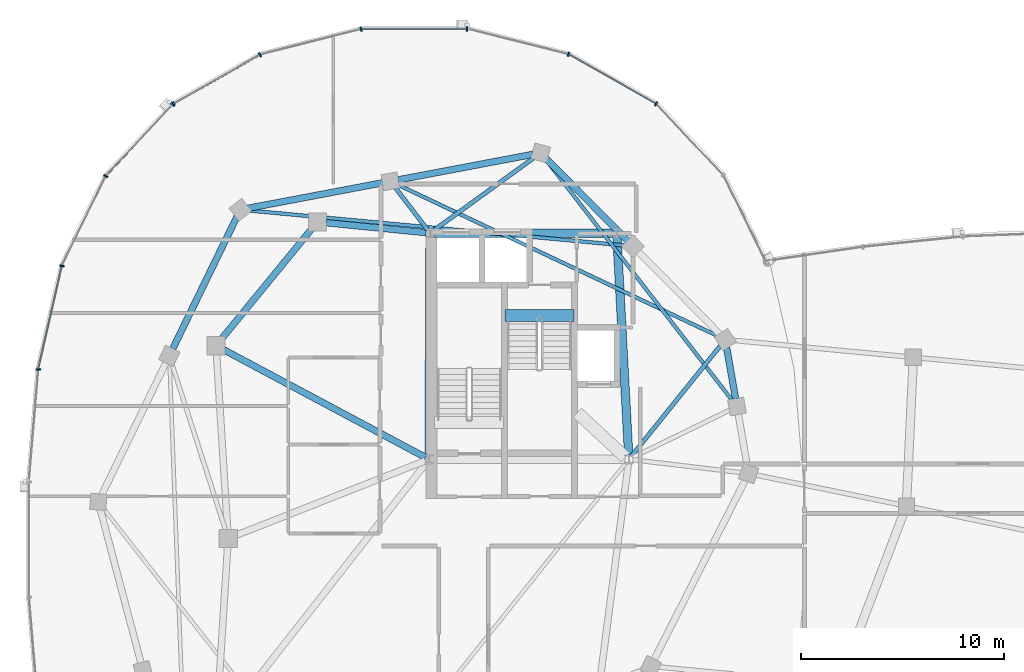
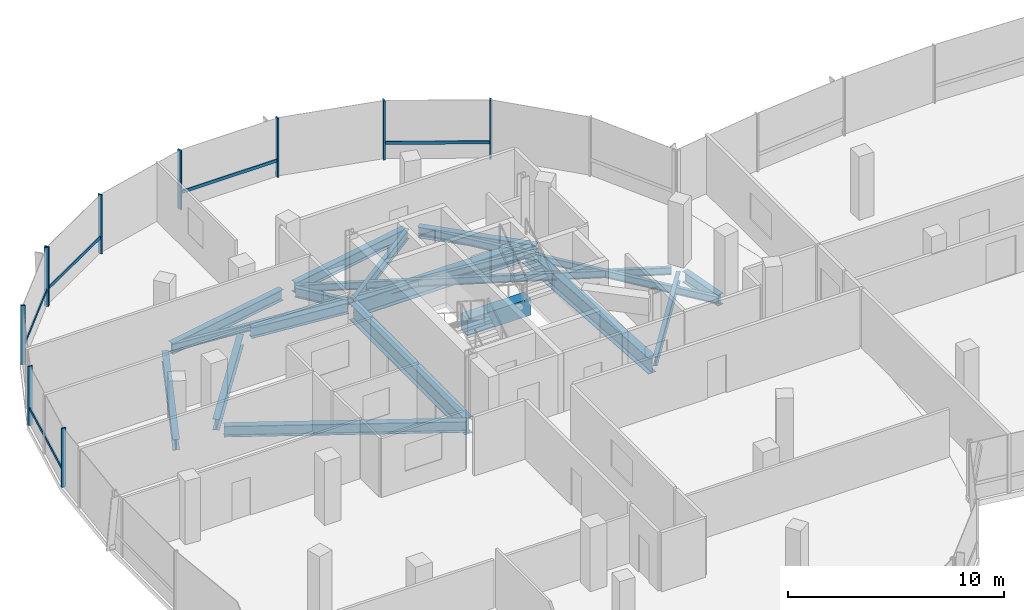
# One storey, part 6 of 25: 18 beams, 15 members, 2 elements without a shape of their own.
"""IFC4 building model written with IfcOpenShell, lengths in metres."""

from ifc_helpers import new_model, si_unit, direction, frame, origin, origin_2d, place, context, subcontext, project, spatial, rectangle, i_section, extrude, material, material_profile, profile_set, type_object, element, aggregate, save


model = new_model("IFC4")

# Units and contexts
model_context = context("Model", 3, precision=1e-05, world=origin(), true_north=direction((0.0, 1.0)))
body_context = subcontext(model_context, "Body", "Model", "MODEL_VIEW")
ifc_project = project(units=[si_unit("LENGTHUNIT", "METRE"), si_unit("AREAUNIT", "SQUARE_METRE"), si_unit("VOLUMEUNIT", "CUBIC_METRE"), si_unit("PLANEANGLEUNIT", "RADIAN"), si_unit("MASSUNIT", "GRAM", prefix="KILO"), si_unit("THERMODYNAMICTEMPERATUREUNIT", "KELVIN"), si_unit("POWERUNIT", "WATT")], contexts=[model_context])

# Site, building, storey
site_placement = place(None, origin())
site = spatial("IfcSite", under=ifc_project, at=site_placement, CompositionType="ELEMENT")
building_placement = place(site_placement, origin())
building = spatial("IfcBuilding", under=site, at=building_placement, Name="Cundina Bronze Exchange", CompositionType="ELEMENT")
storey_placement = place(building_placement, frame((0.0, 0.0, 257.60009765625)))
storey = spatial("IfcBuildingStorey", under=building, at=storey_placement, Name="L68", CompositionType="ELEMENT", Elevation=257.60009765625)

# Beams
ifc_material_1 = material(Name="Concrete C60/75", Category="concrete")
ifc_material_profile_1 = material_profile(ifc_material_1, rectangle(XDim=0.60009765625, YDim=0.949951171875, at=origin_2d()), Name="RC600X950", Category="concrete")
ifc_profile_set_1 = profile_set([ifc_material_profile_1], Name="Concrete C60/75")
beam_type_1 = type_object("IfcBeamType", Name="BM-COUP-RC950", PredefinedType="LINTEL", material=ifc_profile_set_1)
beam_1_placement = place(storey_placement, frame((-27.56005859375, 10.97998046875, -0.47509765625), z_axis=(1.0, 0.0, 0.0), x_axis=(0.0, 1.0, 0.0)))
element("IfcBeam", 1, at=beam_1_placement, inside=storey, type_object=beam_type_1, Name="L68 Stair W2 Landing Header Beam", PredefinedType="LINTEL", context=body_context, shape_type="SweptSolid", body=[
    extrude(rectangle(XDim=0.60009765625, YDim=0.949951171875, at=origin_2d()), origin(), (0.0, 0.0, 1.0), 3.400146484375),
])
ifc_material_2 = material(Name="Steel ASTM A992 Grade 50", Category="steel")
ifc_material_profile_2 = material_profile(ifc_material_2, i_section(OverallWidth=0.2119140625, OverallDepth=0.5439453125, WebThickness=0.01318359375, FlangeThickness=0.021240234375, FilletRadius=0.013916015625, at=origin_2d()), Name="W21X83", Category="steel")
ifc_profile_set_2 = profile_set([ifc_material_profile_2], Name="Steel ASTM A992 Grade 50")
beam_type_2 = type_object("IfcBeamType", Name="BM-FLR-W21A", PredefinedType="BEAM", material=ifc_profile_set_2)
beam_2_placement = place(storey_placement, frame((-21.3271484375, 4.052734375, -0.531982421875), z_axis=(0.627111236784, 0.778929712297, 0.0), x_axis=(-0.778929712297, 0.627111236784, 0.0)))
element("IfcBeam", 2, at=beam_2_placement, inside=storey, type_object=beam_type_2, Name="L68 Leg W Radial Floor Beam 02", PredefinedType="BEAM", context=body_context, shape_type="SweptSolid", body=[
    extrude(i_section(OverallWidth=0.2119140625, OverallDepth=0.5439453125, WebThickness=0.01318359375, FlangeThickness=0.021240234375, FilletRadius=0.013916015625, at=origin_2d()), origin(), (0.0, 0.0, 1.0), 6.990478515625),
])
beam_3_placement = place(storey_placement, frame((-31.09130859375, 15.1650390625, -0.531982421875), z_axis=(0.809701976545, 0.586841298119, 0.0), x_axis=(-0.586841298119, 0.809701976545, 0.0)))
element("IfcBeam", 3, at=beam_3_placement, inside=storey, type_object=beam_type_2, Name="L68 Leg W Radial Floor Beam 04", PredefinedType="BEAM", context=body_context, shape_type="SweptSolid", body=[
    extrude(i_section(OverallWidth=0.2119140625, OverallDepth=0.5439453125, WebThickness=0.01318359375, FlangeThickness=0.021240234375, FilletRadius=0.013916015625, at=origin_2d()), origin(), (0.0, 0.0, 1.0), 6.146728515625),
])
beam_4_placement = place(storey_placement, frame((-31.369140625, 15.205810546875, -0.531982421875), z_axis=(-0.607470812638, 0.794341999263, 0.0), x_axis=(-0.794341999263, -0.607470812638, 0.0)))
element("IfcBeam", 4, at=beam_4_placement, inside=storey, type_object=beam_type_2, Name="L68 Leg W Radial Floor Beam 05", PredefinedType="BEAM", context=body_context, shape_type="SweptSolid", body=[
    extrude(i_section(OverallWidth=0.2119140625, OverallDepth=0.5439453125, WebThickness=0.01318359375, FlangeThickness=0.021240234375, FilletRadius=0.013916015625, at=origin_2d()), origin(), (0.0, 0.0, 1.0), 2.6259765625),
])
ifc_material_profile_3 = material_profile(ifc_material_2, i_section(OverallWidth=0.178955078125, OverallDepth=0.409912109375, WebThickness=0.0087890625, FlangeThickness=0.014404296875, FilletRadius=0.010986328125, at=origin_2d()), Name="W16X45", Category="steel")
ifc_profile_set_3 = profile_set([ifc_material_profile_3], Name="Steel ASTM A992 Grade 50")
beam_type_3 = type_object("IfcBeamType", Name="BM-JST-W16", PredefinedType="JOIST", material=ifc_profile_set_3)
beam_5_placement = place(storey_placement, frame((-16.362548828125, 6.806884765625, -0.465087890625), z_axis=(-0.612077855816, 0.790797507849, 0.0), x_axis=(-0.790797507849, -0.612077855816, 0.0)))
element("IfcBeam", 5, at=beam_5_placement, inside=storey, type_object=beam_type_3, Name="L68 Leg W Lobe Floor Joist 01-04", PredefinedType="JOIST", context=body_context, shape_type="SweptSolid", body=[
    extrude(i_section(OverallWidth=0.178955078125, OverallDepth=0.409912109375, WebThickness=0.0087890625, FlangeThickness=0.014404296875, FilletRadius=0.010986328125, at=origin_2d()), origin(), (0.0, 0.0, 1.0), 15.03076171875),
])
beam_6_placement = place(storey_placement, frame((-17.05078125, 9.9658203125, -0.465087890625), z_axis=(-0.904073247994, 0.427377540661, 0.0), x_axis=(-0.427377540661, -0.904073247994, 0.0)))
element("IfcBeam", 6, at=beam_6_placement, inside=storey, type_object=beam_type_3, Name="L68 Leg W Lobe Floor Joist 02-05", PredefinedType="JOIST", context=body_context, shape_type="SweptSolid", body=[
    extrude(i_section(OverallWidth=0.178955078125, OverallDepth=0.409912109375, WebThickness=0.0087890625, FlangeThickness=0.014404296875, FilletRadius=0.010986328125, at=origin_2d()), origin(), (0.0, 0.0, 1.0), 17.474609375),
])
beam_7_placement = place(storey_placement, frame((-21.63623046875, 14.435791015625, -0.465087890625), z_axis=(-0.995700514338, 0.092630911398, 0.0), x_axis=(-0.092630911398, -0.995700514338, 0.0)))
element("IfcBeam", 7, at=beam_7_placement, inside=storey, type_object=beam_type_3, Name="L68 Leg W Lobe Floor Joist 03-06", PredefinedType="JOIST", context=body_context, shape_type="SweptSolid", body=[
    extrude(i_section(OverallWidth=0.178955078125, OverallDepth=0.409912109375, WebThickness=0.0087890625, FlangeThickness=0.014404296875, FilletRadius=0.010986328125, at=origin_2d()), origin(), (0.0, 0.0, 1.0), 18.65771484375),
])
ifc_material_profile_4 = material_profile(ifc_material_2, i_section(OverallWidth=0.324951171875, OverallDepth=0.615966796875, WebThickness=0.013916015625, FlangeThickness=0.021484375, FilletRadius=0.01611328125, at=origin_2d()), Name="W24X117", Category="steel")
ifc_profile_set_4 = profile_set([ifc_material_profile_4], Name="Steel ASTM A992 Grade 50")
beam_type_4 = type_object("IfcBeamType", Name="BM-RING-W24", PredefinedType="USERDEFINED", material=ifc_profile_set_4)
beam_8_placement = place(storey_placement, frame((-31.445068359375, 15.0693359375, -0.568115234375), z_axis=(-0.995123854478, 0.09863323096, 0.0), x_axis=(-0.09863323096, -0.995123854478, 0.0)))
element("IfcBeam", 8, at=beam_8_placement, inside=storey, type_object=beam_type_4, Name="L68 W Inner Structural Ring Girder 01", ObjectType="GIRDER", PredefinedType="USERDEFINED", context=body_context, shape_type="SweptSolid", body=[
    extrude(i_section(OverallWidth=0.324951171875, OverallDepth=0.615966796875, WebThickness=0.013916015625, FlangeThickness=0.021484375, FilletRadius=0.01611328125, at=origin_2d()), origin(), (0.0, 0.0, 1.0), 4.943115234375),
])
beam_9_placement = place(storey_placement, frame((-37.07763671875, 15.26123046875, -0.568115234375), z_axis=(-0.633912590175, -0.77340469873, 0.0), x_axis=(0.77340469873, -0.633912590175, 0.0)))
element("IfcBeam", 9, at=beam_9_placement, inside=storey, type_object=beam_type_4, Name="L68 W Inner Structural Ring Girder 02", ObjectType="GIRDER", PredefinedType="USERDEFINED", context=body_context, shape_type="SweptSolid", body=[
    extrude(i_section(OverallWidth=0.324951171875, OverallDepth=0.615966796875, WebThickness=0.013916015625, FlangeThickness=0.021484375, FilletRadius=0.01611328125, at=origin_2d()), origin(), (0.0, 0.0, 1.0), 7.01123046875),
])
beam_10_placement = place(storey_placement, frame((-31.472900390625, 3.9921875, -0.568115234375), z_axis=(-0.882350541683, 0.470592734317, 0.0), x_axis=(-0.470592734317, -0.882350541683, 0.0)))
element("IfcBeam", 10, at=beam_10_placement, inside=storey, type_object=beam_type_4, Name="L68 W Core-to-Waist Tie Beam 2", ObjectType="GIRDER", PredefinedType="USERDEFINED", context=body_context, shape_type="SweptSolid", body=[
    extrude(i_section(OverallWidth=0.324951171875, OverallDepth=0.615966796875, WebThickness=0.013916015625, FlangeThickness=0.021484375, FilletRadius=0.01611328125, at=origin_2d()), origin(), (0.0, 0.0, 1.0), 11.26611328125),
])
beam_11_placement = place(storey_placement, frame((-16.191650390625, 6.882080078125, -0.568115234375), z_axis=(-0.171593362587, 0.985167862811, 0.0), x_axis=(-0.985167862811, -0.171593362587, 0.0)))
element("IfcBeam", 11, at=beam_11_placement, inside=storey, type_object=beam_type_4, Name="L68 W Perimeter Ring Girder 01", ObjectType="GIRDER", PredefinedType="USERDEFINED", context=body_context, shape_type="SweptSolid", body=[
    extrude(i_section(OverallWidth=0.324951171875, OverallDepth=0.615966796875, WebThickness=0.013916015625, FlangeThickness=0.021484375, FilletRadius=0.01611328125, at=origin_2d()), origin(), (0.0, 0.0, 1.0), 2.57373046875),
])
beam_12_placement = place(storey_placement, frame((-21.52294921875, 14.67578125, -0.568115234375), z_axis=(-0.703215820204, 0.710976448425, 0.0), x_axis=(-0.710976448425, -0.703215820204, 0.0)))
element("IfcBeam", 12, at=beam_12_placement, inside=storey, type_object=beam_type_4, Name="L68 W Perimeter Ring Girder 03", ObjectType="GIRDER", PredefinedType="USERDEFINED", context=body_context, shape_type="SweptSolid", body=[
    extrude(i_section(OverallWidth=0.324951171875, OverallDepth=0.615966796875, WebThickness=0.013916015625, FlangeThickness=0.021484375, FilletRadius=0.01611328125, at=origin_2d()), origin(), (0.0, 0.0, 1.0), 5.694091796875),
])
beam_13_placement = place(storey_placement, frame((-26.18115234375, 18.927978515625, -0.568115234375), z_axis=(-0.982568104771, -0.185902984072, 0.0), x_axis=(0.185902984072, -0.982568104771, 0.0)))
element("IfcBeam", 13, at=beam_13_placement, inside=storey, type_object=beam_type_4, Name="L68 W Perimeter Ring Girder 04", ObjectType="GIRDER", PredefinedType="USERDEFINED", context=body_context, shape_type="SweptSolid", body=[
    extrude(i_section(OverallWidth=0.324951171875, OverallDepth=0.615966796875, WebThickness=0.013916015625, FlangeThickness=0.021484375, FilletRadius=0.01611328125, at=origin_2d()), origin(), (0.0, 0.0, 1.0), 6.75537109375),
])
beam_14_placement = place(storey_placement, frame((-33.581298828125, 17.52783203125, -0.568115234375), z_axis=(-0.982573456977, -0.185874693392, 0.0), x_axis=(0.185874693392, -0.982573456977, 0.0)))
element("IfcBeam", 14, at=beam_14_placement, inside=storey, type_object=beam_type_4, Name="L68 W Perimeter Ring Girder 05", ObjectType="GIRDER", PredefinedType="USERDEFINED", context=body_context, shape_type="SweptSolid", body=[
    extrude(i_section(OverallWidth=0.324951171875, OverallDepth=0.615966796875, WebThickness=0.013916015625, FlangeThickness=0.021484375, FilletRadius=0.01611328125, at=origin_2d()), origin(), (0.0, 0.0, 1.0), 6.755126953125),
])
beam_15_placement = place(storey_placement, frame((-40.76953125, 15.85107421875, -0.568115234375), z_axis=(-0.437216986791, -0.899356050995, 0.0), x_axis=(0.899356050995, -0.437216986791, 0.0)))
element("IfcBeam", 15, at=beam_15_placement, inside=storey, type_object=beam_type_4, Name="L68 W Perimeter Ring Girder 06", ObjectType="GIRDER", PredefinedType="USERDEFINED", context=body_context, shape_type="SweptSolid", body=[
    extrude(i_section(OverallWidth=0.324951171875, OverallDepth=0.615966796875, WebThickness=0.013916015625, FlangeThickness=0.021484375, FilletRadius=0.01611328125, at=origin_2d()), origin(), (0.0, 0.0, 1.0), 7.2294921875),
])
ifc_material_profile_5 = material_profile(ifc_material_2, i_section(OverallWidth=0.41796875, OverallDepth=0.927001953125, WebThickness=0.019287109375, FlangeThickness=0.031982421875, FilletRadius=0.02392578125, at=origin_2d()), Name="W36X231", Category="steel")
ifc_profile_set_5 = profile_set([ifc_material_profile_5], Name="Steel ASTM A992 Grade 50")
beam_type_5 = type_object("IfcBeamType", Name="BM-WRN-W36B", PredefinedType="USERDEFINED", material=ifc_profile_set_5)
beam_16_placement = place(storey_placement, frame((-21.46044921875, 4.095703125, -0.7236328125), z_axis=(-0.053749317644, 0.998554460634, 0.0), x_axis=(-0.998554460634, -0.053749317644, 0.0)))
element("IfcBeam", 16, at=beam_16_placement, inside=storey, type_object=beam_type_5, Name="L68 W Core Perimeter Tie Girder 2", ObjectType="GIRDER", PredefinedType="USERDEFINED", context=body_context, shape_type="SweptSolid", body=[
    extrude(i_section(OverallWidth=0.41796875, OverallDepth=0.927001953125, WebThickness=0.019287109375, FlangeThickness=0.031982421875, FilletRadius=0.02392578125, at=origin_2d()), origin(), (0.0, 0.0, 1.0), 10.774169921875),
])
beam_17_placement = place(storey_placement, frame((-22.24609375, 15.050048828125, -0.7236328125), z_axis=(-1.0, 0.0, 0.0), x_axis=(0.0, -1.0, 0.0)))
element("IfcBeam", 17, at=beam_17_placement, inside=storey, type_object=beam_type_5, Name="L68 W Core Perimeter Tie Girder 3", ObjectType="GIRDER", PredefinedType="USERDEFINED", context=body_context, shape_type="SweptSolid", body=[
    extrude(i_section(OverallWidth=0.41796875, OverallDepth=0.927001953125, WebThickness=0.019287109375, FlangeThickness=0.031982421875, FilletRadius=0.02392578125, at=origin_2d()), origin(), (0.0, 0.0, 1.0), 8.807861328125),
])
beam_18_placement = place(storey_placement, frame((-31.2509765625, 14.85400390625, -0.7236328125), z_axis=(-0.004470623654, -0.999990006712, 0.0), x_axis=(0.999990006712, -0.004470623654, 0.0)))
element("IfcBeam", 18, at=beam_18_placement, inside=storey, type_object=beam_type_5, Name="L68 W Core Perimeter Tie Girder 4", ObjectType="GIRDER", PredefinedType="USERDEFINED", context=body_context, shape_type="SweptSolid", body=[
    extrude(i_section(OverallWidth=0.41796875, OverallDepth=0.927001953125, WebThickness=0.019287109375, FlangeThickness=0.031982421875, FilletRadius=0.02392578125, at=origin_2d()), origin(), (0.0, 0.0, 1.0), 10.758056640625),
])

# Curtain wall, members
ifc_material_3 = material(Name="Anodised Bronze Aluminium 6063-T6", Category="aluminium")
curtain_wall_type = type_object("IfcCurtainWallType", Name="CWS-SKG-BRG", PredefinedType="NOTDEFINED", material=ifc_material_3)
curtain_wall_1_placement = place(storey_placement, origin())
curtain_wall_1 = element("IfcCurtainWall", 19, at=curtain_wall_1_placement, inside=storey, type_object=curtain_wall_type, Name="L68 CW-06 Curtain Wall Run CWR-L68-W1", PredefinedType="NOTDEFINED")
ifc_material_profile_6 = material_profile(ifc_material_3, rectangle(XDim=0.074951171875, YDim=0.219970703125, at=origin_2d()), Name="AL75X220", Category="aluminium")
ifc_profile_set_6 = profile_set([ifc_material_profile_6], Name="Anodised Bronze Aluminium 6063-T6")
member_type_1 = type_object("IfcMemberType", Name="CWM-MUL-220", PredefinedType="MULLION", material=ifc_profile_set_6)
member_1_placement = place(storey_placement, frame((-20.11083984375, 21.419921875, 0.0), z_axis=(0.0, 0.0, 1.0), x_axis=(-0.86958112538, 0.493790103568, 0.0)))
member_1 = element("IfcMember", 20, at=member_1_placement, type_object=member_type_1, Name="CW-06 Mullion 3", PredefinedType="MULLION", context=body_context, shape_type="SweptSolid", body=[
    extrude(rectangle(XDim=0.074951171875, YDim=0.219970703125, at=origin_2d()), origin(), (0.0, 0.0, 1.0), 3.33984375),
])
member_2_placement = place(storey_placement, frame((-24.4296875, 23.86181640625, 0.0), z_axis=(0.0, 0.0, 1.0), x_axis=(-0.969744325821, 0.244122802168, 0.0)))
member_2 = element("IfcMember", 21, at=member_2_placement, type_object=member_type_1, Name="CW-06 Mullion 4", PredefinedType="MULLION", context=body_context, shape_type="SweptSolid", body=[
    extrude(rectangle(XDim=0.074951171875, YDim=0.219970703125, at=origin_2d()), origin(), (0.0, 0.0, 1.0), 3.33984375),
])
member_3_placement = place(storey_placement, frame((-29.423583984375, 25.110107421875, 0.0), z_axis=(0.0, 0.0, 1.0), x_axis=(-1.0, 0.0, 0.0)))
member_3 = element("IfcMember", 22, at=member_3_placement, type_object=member_type_1, Name="CW-06 Mullion 5", PredefinedType="MULLION", context=body_context, shape_type="SweptSolid", body=[
    extrude(rectangle(XDim=0.074951171875, YDim=0.219970703125, at=origin_2d()), origin(), (0.0, 0.0, 1.0), 3.33984375),
])
member_4_placement = place(storey_placement, frame((-34.648193359375, 25.10107421875, 0.0), z_axis=(0.0, 0.0, 1.0), x_axis=(-0.969744325821, -0.244122802168, 0.0)))
member_4 = element("IfcMember", 23, at=member_4_placement, type_object=member_type_1, Name="CW-06 Mullion 6", PredefinedType="MULLION", context=body_context, shape_type="SweptSolid", body=[
    extrude(rectangle(XDim=0.074951171875, YDim=0.219970703125, at=origin_2d()), origin(), (0.0, 0.0, 1.0), 3.33984375),
])
member_5_placement = place(storey_placement, frame((-39.634521484375, 23.8359375, 0.0), z_axis=(0.0, 0.0, 1.0), x_axis=(-0.86958112538, -0.493790103568, 0.0)))
member_5 = element("IfcMember", 24, at=member_5_placement, type_object=member_type_1, Name="CW-06 Mullion 7", PredefinedType="MULLION", context=body_context, shape_type="SweptSolid", body=[
    extrude(rectangle(XDim=0.074951171875, YDim=0.219970703125, at=origin_2d()), origin(), (0.0, 0.0, 1.0), 3.33984375),
])
member_6_placement = place(storey_placement, frame((-43.88916015625, 21.419921875, 0.0), z_axis=(0.0, 0.0, 1.0), x_axis=(-0.86958112538, -0.493790103568, 0.0)))
member_6 = element("IfcMember", 25, at=member_6_placement, type_object=member_type_1, Name="CW-06 End Mullion", PredefinedType="MULLION", context=body_context, shape_type="SweptSolid", body=[
    extrude(rectangle(XDim=0.074951171875, YDim=0.219970703125, at=origin_2d()), origin(), (0.0, 0.0, 1.0), 3.33984375),
])

curtain_wall_2_placement = place(storey_placement, origin())
curtain_wall_2 = element("IfcCurtainWall", 26, at=curtain_wall_2_placement, inside=storey, type_object=curtain_wall_type, Name="L68 CW-06 Curtain Wall Run CWR-L68-W2", PredefinedType="NOTDEFINED")
member_7_placement = place(storey_placement, frame((-43.940185546875, 21.3798828125, 0.0), z_axis=(0.0, 0.0, 1.0), x_axis=(-0.684292606175, -0.729207535023, 0.0)))
member_7 = element("IfcMember", 27, at=member_7_placement, type_object=member_type_1, Name="CW-06 Mullion 1", PredefinedType="MULLION", context=body_context, shape_type="SweptSolid", body=[
    extrude(rectangle(XDim=0.074951171875, YDim=0.219970703125, at=origin_2d()), origin(), (0.0, 0.0, 1.0), 3.33984375),
])
member_8_placement = place(storey_placement, frame((-47.2333984375, 17.856689453125, 0.0), z_axis=(0.0, 0.0, 1.0), x_axis=(-0.440566004113, -0.897720221461, 0.0)))
member_8 = element("IfcMember", 28, at=member_8_placement, type_object=member_type_1, Name="CW-06 Mullion 2", PredefinedType="MULLION", context=body_context, shape_type="SweptSolid", body=[
    extrude(rectangle(XDim=0.074951171875, YDim=0.219970703125, at=origin_2d()), origin(), (0.0, 0.0, 1.0), 3.33984375),
])
member_9_placement = place(storey_placement, frame((-49.39404296875, 13.433837890625, 0.0), z_axis=(0.0, 0.0, 1.0), x_axis=(-0.223250116011, -0.974761194191, 0.0)))
member_9 = element("IfcMember", 29, at=member_9_placement, type_object=member_type_1, Name="CW-06 Mullion 3", PredefinedType="MULLION", context=body_context, shape_type="SweptSolid", body=[
    extrude(rectangle(XDim=0.074951171875, YDim=0.219970703125, at=origin_2d()), origin(), (0.0, 0.0, 1.0), 3.33984375),
])
member_10_placement = place(storey_placement, frame((-50.557861328125, 8.32568359375, 0.0), z_axis=(0.0, 0.0, 1.0), x_axis=(-0.083677843332, -0.99649285925, 0.0)))
member_10 = element("IfcMember", 30, at=member_10_placement, type_object=member_type_1, Name="CW-06 Mullion 4", PredefinedType="MULLION", context=body_context, shape_type="SweptSolid", body=[
    extrude(rectangle(XDim=0.074951171875, YDim=0.219970703125, at=origin_2d()), origin(), (0.0, 0.0, 1.0), 3.33984375),
])

# Member
ifc_material_profile_7 = material_profile(ifc_material_3, rectangle(XDim=0.070068359375, YDim=0.179931640625, at=origin_2d()), Name="AL70X180", Category="aluminium")
ifc_profile_set_7 = profile_set([ifc_material_profile_7], Name="Anodised Bronze Aluminium 6063-T6")
member_type_2 = type_object("IfcMemberType", Name="CWM-TRN-180", PredefinedType="USERDEFINED", material=ifc_profile_set_7)
member_11_placement = place(storey_placement, frame((-20.146728515625, 21.440185546875, 0.919921875), z_axis=(-0.869557366176, 0.493831941989, 0.0), x_axis=(-0.493831941989, -0.869557366176, 0.0)))
member_11 = element("IfcMember", 31, at=member_11_placement, type_object=member_type_2, Name="CW-06 Spandrel Transom 3", ObjectType="TRANSOM", PredefinedType="USERDEFINED", context=body_context, shape_type="SweptSolid", body=[
    extrude(rectangle(XDim=0.070068359375, YDim=0.179931640625, at=origin_2d()), origin(), (0.0, 0.0, 1.0), 4.892822265625),
])

member_12_placement = place(storey_placement, frame((-29.464599609375, 25.110107421875, 0.919921875), z_axis=(-1.0, 0.0, 0.0), x_axis=(0.0, -1.0, 0.0)))
member_12 = element("IfcMember", 32, at=member_12_placement, type_object=member_type_2, Name="CW-06 Spandrel Transom 5", ObjectType="TRANSOM", PredefinedType="USERDEFINED", context=body_context, shape_type="SweptSolid", body=[
    extrude(rectangle(XDim=0.070068359375, YDim=0.179931640625, at=origin_2d()), origin(), (0.0, 0.0, 1.0), 5.1533203125),
])

member_13_placement = place(storey_placement, frame((-39.67041015625, 23.815673828125, 0.919921875), z_axis=(-0.869558105282, -0.493830640542, 0.0), x_axis=(0.493830640542, -0.869558105282, 0.0)))
member_13 = element("IfcMember", 33, at=member_13_placement, type_object=member_type_2, Name="CW-06 Spandrel Transom 7", ObjectType="TRANSOM", PredefinedType="USERDEFINED", context=body_context, shape_type="SweptSolid", body=[
    extrude(rectangle(XDim=0.070068359375, YDim=0.179931640625, at=origin_2d()), origin(), (0.0, 0.0, 1.0), 4.810302734375),
])

aggregate(curtain_wall_1, [member_1, member_11, member_2, member_3, member_12, member_4, member_5, member_6, member_13])

member_14_placement = place(storey_placement, frame((-43.968505859375, 21.349609375, 0.919921875), z_axis=(-0.684328474899, -0.729173873944, 0.0), x_axis=(0.729173873944, -0.684328474899, 0.0)))
member_14 = element("IfcMember", 34, at=member_14_placement, type_object=member_type_2, Name="CW-06 Spandrel Transom 1", ObjectType="TRANSOM", PredefinedType="USERDEFINED", context=body_context, shape_type="SweptSolid", body=[
    extrude(rectangle(XDim=0.070068359375, YDim=0.179931640625, at=origin_2d()), origin(), (0.0, 0.0, 1.0), 4.758056640625),
])

member_15_placement = place(storey_placement, frame((-49.4033203125, 13.3935546875, 0.919921875), z_axis=(-0.223257048806, -0.974759606343, 0.0), x_axis=(0.974759606343, -0.223257048806, 0.0)))
member_15 = element("IfcMember", 35, at=member_15_placement, type_object=member_type_2, Name="CW-06 Spandrel Transom 3", ObjectType="TRANSOM", PredefinedType="USERDEFINED", context=body_context, shape_type="SweptSolid", body=[
    extrude(rectangle(XDim=0.070068359375, YDim=0.179931640625, at=origin_2d()), origin(), (0.0, 0.0, 1.0), 5.15283203125),
])

aggregate(curtain_wall_2, [member_7, member_14, member_8, member_9, member_15, member_10])

save(model, "model.ifc")
